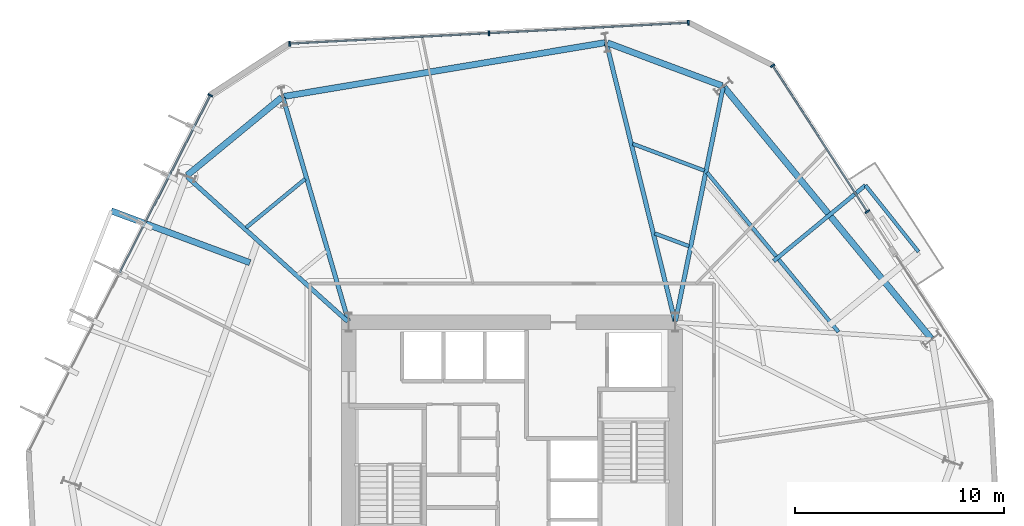
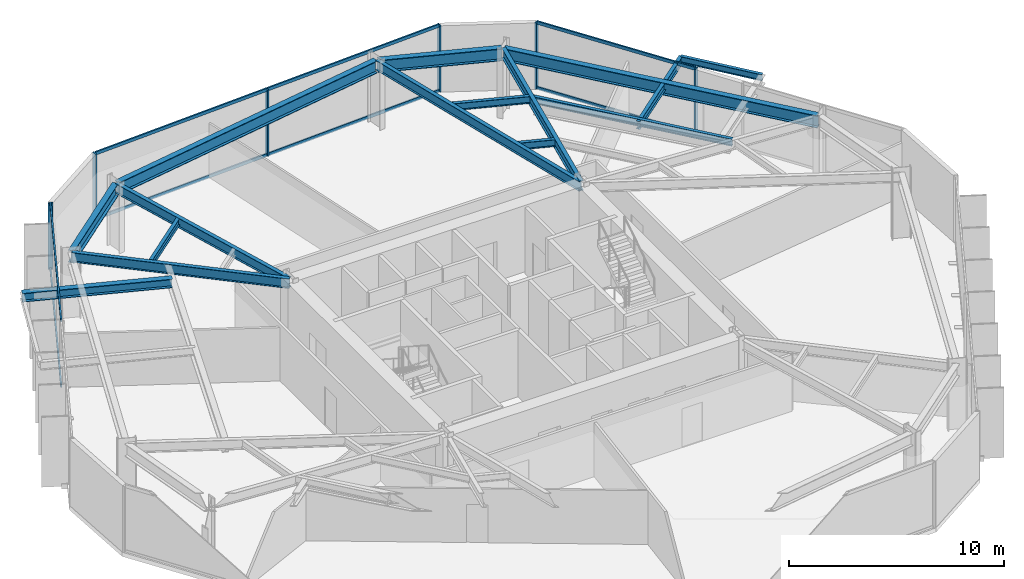
# One storey, part 4 of 10: 15 beams, 14 members, 3 elements without a shape of their own.
"""IFC4 building model written with IfcOpenShell, lengths in metres."""

import ifcopenshell
import ifcopenshell.guid

model = None  # the IFC model being written
_history = None  # IfcOwnerHistory: only IFC2X3 demands one
_inside = {}  # id of a spatial element -> (the spatial element, [elements in it])
_under = {}  # id of a project, library or spatial element -> (it, [spatial elements below it])
_declared = {}  # id of a project -> (the project, [libraries it declares])
_typed = {}  # id of a type object -> (the type object, [elements of that type])
_made_of = {}  # id of a material, layer set ... -> (it, [elements and type objects made of it])


def new_model(schema):
    """Start an empty IFC model of exactly this schema.

    Asked for "IFC4X3", IfcOpenShell would pick the latest addendum, in which some entities
    have other attributes; the version numbers below select the first issue.
    IFC2X3 requires an IfcOwnerHistory on every rooted entity: one is made here for all.
    """
    global model, _history
    if schema == "IFC4X3":
        model = ifcopenshell.file(schema_version=(4, 3, 0, 0))
    else:
        model = ifcopenshell.file(schema=schema)
    _inside.clear()
    _under.clear()
    _declared.clear()
    _typed.clear()
    _made_of.clear()
    _history = None
    if model.schema == "IFC2X3":
        org = make("IfcOrganization", Name="unknown")
        user = make(
            "IfcPersonAndOrganization",
            ThePerson=make("IfcPerson", FamilyName="unknown"),
            TheOrganization=org,
        )
        app = make(
            "IfcApplication",
            ApplicationDeveloper=org,
            Version="unknown",
            ApplicationFullName="unknown",
            ApplicationIdentifier="unknown",
        )
        _history = make(
            "IfcOwnerHistory",
            OwningUser=user,
            OwningApplication=app,
            ChangeAction="ADDED",
            CreationDate=0,
        )
    return model


def make(cls, **values):
    """One entity of the class cls with the attributes given. An attribute that is None is left unset."""
    return model.create_entity(
        cls, **{name: value for name, value in values.items() if value is not None}
    )


def rooted(cls, **values):
    """An entity with a GlobalId (a new one), such as an element, a storey or a relation."""
    return make(cls, GlobalId=ifcopenshell.guid.new(), OwnerHistory=_history, **values)


def si_unit(unit_type, name, prefix=None):
    """IfcSIUnit, for example si_unit("LENGTHUNIT", "METRE", prefix="MILLI")."""
    return make("IfcSIUnit", UnitType=unit_type, Prefix=prefix, Name=name)


def assignment(units):
    """IfcUnitAssignment: the units of a project."""
    return None if units is None else make("IfcUnitAssignment", Units=units)


def point(xyz):
    """IfcCartesianPoint."""
    return None if xyz is None else make("IfcCartesianPoint", Coordinates=xyz)


def direction(xyz):
    """IfcDirection."""
    return None if xyz is None else make("IfcDirection", DirectionRatios=xyz)


def frame(location, z_axis=None, x_axis=None):
    """IfcAxis2Placement3D, a coordinate frame: its origin and axes. An axis left out is left unset."""
    return make(
        "IfcAxis2Placement3D",
        Location=point(location),
        Axis=direction(z_axis),
        RefDirection=direction(x_axis),
    )


def frame_2d(location, x_axis=None):
    """IfcAxis2Placement2D, a coordinate frame in the plane: its origin and x axis."""
    return make(
        "IfcAxis2Placement2D", Location=point(location), RefDirection=direction(x_axis)
    )


def origin():
    """The frame at (0, 0, 0) with its axes left unset."""
    return frame((0.0, 0.0, 0.0))


def origin_2d():
    """The frame at (0, 0) in the plane with its x axis left unset."""
    return frame_2d((0.0, 0.0))


def place(relative_to, where):
    """IfcLocalPlacement: puts the frame where relative to a parent placement (None: the world)."""
    return make(
        "IfcLocalPlacement", PlacementRelTo=relative_to, RelativePlacement=where
    )


def context(
    kind, dimensions, precision=None, world=None, true_north=None, identifier=None
):
    """IfcGeometricRepresentationContext, for example the 3D "Model" context."""
    return make(
        "IfcGeometricRepresentationContext",
        ContextIdentifier=identifier,
        ContextType=kind,
        CoordinateSpaceDimension=dimensions,
        Precision=precision,
        WorldCoordinateSystem=world,
        TrueNorth=true_north,
    )


def subcontext(parent, identifier, kind, view, scale=None):
    """IfcGeometricRepresentationSubContext, for example "Body" below "Model"."""
    return make(
        "IfcGeometricRepresentationSubContext",
        ContextIdentifier=identifier,
        ContextType=kind,
        ParentContext=parent,
        TargetScale=scale,
        TargetView=view,
    )


def project(units=None, contexts=None):
    """IfcProject with its units and contexts."""
    return rooted(
        "IfcProject",
        Name="project",
        RepresentationContexts=contexts,
        UnitsInContext=assignment(units),
    )


def spatial(cls, under=None, at=None, **own):
    """A site, building, storey or space (cls), placed at a placement, below another one or the project."""
    s = rooted(cls, ObjectPlacement=at, **own)
    if under is not None:
        _under.setdefault(under.id(), (under, []))[1].append(s)
    return s


def profile(cls, at=None, kind="AREA", **sizes):
    """A parametric profile (cls). Its sizes go by their IFC names, for example OverallWidth=200.0."""
    return make(cls, ProfileType=kind, Position=at, **sizes)


def rectangle(**sizes):
    """IfcRectangleProfileDef."""
    return profile("IfcRectangleProfileDef", **sizes)


def i_section(**sizes):
    """IfcIShapeProfileDef."""
    return profile("IfcIShapeProfileDef", **sizes)


def extrude(swept, where, along, depth):
    """IfcExtrudedAreaSolid: the profile swept, set in the frame where, extruded along a direction by depth."""
    return make(
        "IfcExtrudedAreaSolid",
        SweptArea=swept,
        Position=where,
        ExtrudedDirection=direction(along),
        Depth=depth,
    )


def shape(context_of_items, identifier, shape_type, items):
    """IfcShapeRepresentation: the items that make up one representation, for example the "Body"."""
    return make(
        "IfcShapeRepresentation",
        ContextOfItems=context_of_items,
        RepresentationIdentifier=identifier,
        RepresentationType=shape_type,
        Items=items,
    )


def material(Name=None, Category=None):
    """IfcMaterial."""
    return make("IfcMaterial", Name=Name, Category=Category)


def layer(
    of_material, thickness, ventilated=None, Name=None, Category=None, Priority=None
):
    """IfcMaterialLayer: one layer of a wall or slab, of a material (None: an air gap)."""
    return make(
        "IfcMaterialLayer",
        Material=of_material,
        LayerThickness=thickness,
        IsVentilated=ventilated,
        Name=Name,
        Category=Category,
        Priority=Priority,
    )


def layer_set(layers, Name=None):
    """IfcMaterialLayerSet."""
    return make("IfcMaterialLayerSet", MaterialLayers=layers, LayerSetName=Name)


def material_profile(
    of_material, cross_section, Name=None, Category=None, Priority=None
):
    """IfcMaterialProfile: a cross section and its material."""
    return make(
        "IfcMaterialProfile",
        Name=Name,
        Material=of_material,
        Profile=cross_section,
        Priority=Priority,
        Category=Category,
    )


def profile_set(profiles, Name=None, composite=None):
    """IfcMaterialProfileSet."""
    return make(
        "IfcMaterialProfileSet",
        Name=Name,
        MaterialProfiles=profiles,
        CompositeProfile=composite,
    )


def made_of(thing, what):
    """Note that an element or type object is made of a material, layer set ...; save() writes the relation."""
    if what is not None:
        _made_of.setdefault(what.id(), (what, []))[1].append(thing)
    return thing


def type_object(cls, material=None, **own):
    """A type object (cls), such as IfcWallType, which elements share."""
    return made_of(rooted(cls, **own), material)


def element(
    cls,
    number,
    at=None,
    inside=None,
    cuts=None,
    type_object=None,
    material=None,
    context=None,
    identifier="Body",
    shape_type=None,
    held_by="IfcProductDefinitionShape",
    body=None,
    shapes=None,
    **own,
):
    """One element of the class cls, such as IfcWall. Its Tag is "e" and its number.

    at: its placement. inside: the storey or other place that contains it. cuts: it is an
    opening in that element (IfcRelVoidsElement). A single representation is given by context,
    identifier, shape_type and body (its items); several are given by shapes. held_by: the class
    of the entity that holds the representations. save() writes the other relations.
    """
    e = rooted(cls, Tag="e%d" % number, ObjectPlacement=at, **own)
    if body is not None:
        shapes = [shape(context, identifier, shape_type, body)]
    if shapes is not None:
        e.Representation = make(held_by, Representations=shapes)
    if inside is not None:
        _inside.setdefault(inside.id(), (inside, []))[1].append(e)
    if cuts is not None:
        rooted(
            "IfcRelVoidsElement", RelatingBuildingElement=cuts, RelatedOpeningElement=e
        )
    if type_object is not None:
        _typed.setdefault(type_object.id(), (type_object, []))[1].append(e)
    return made_of(e, material)


def aggregate(whole, parts):
    """IfcRelAggregates: a whole, such as a stair, and the parts it consists of."""
    return rooted("IfcRelAggregates", RelatingObject=whole, RelatedObjects=parts)


def save(model, path):
    """Write the relations noted so far, then the file.

    IfcRelAggregates (storeys below a building ...), IfcRelContainedInSpatialStructure (elements
    in a storey), IfcRelDefinesByType, IfcRelAssociatesMaterial and IfcRelDeclares: one each for
    every whole, place, type object, material and project.
    """
    for whole, parts in _under.values():
        aggregate(whole, parts)
    for where, things in _inside.values():
        rooted(
            "IfcRelContainedInSpatialStructure",
            RelatedElements=things,
            RelatingStructure=where,
        )
    for kind, things in _typed.values():
        rooted("IfcRelDefinesByType", RelatedObjects=things, RelatingType=kind)
    for what, things in _made_of.values():
        rooted("IfcRelAssociatesMaterial", RelatedObjects=things, RelatingMaterial=what)
    for by, libraries in _declared.values():
        rooted("IfcRelDeclares", RelatingContext=by, RelatedDefinitions=libraries)
    model.write(path)


model = new_model("IFC4")

# Units and contexts
model_context = context("Model", 3, precision=1e-05, world=origin(), true_north=direction((0.0, 1.0)))
body_context = subcontext(model_context, "Body", "Model", "MODEL_VIEW")
ifc_project = project(units=[si_unit("LENGTHUNIT", "METRE"), si_unit("AREAUNIT", "SQUARE_METRE"), si_unit("VOLUMEUNIT", "CUBIC_METRE"), si_unit("PLANEANGLEUNIT", "RADIAN"), si_unit("MASSUNIT", "GRAM", prefix="KILO")], contexts=[model_context])

# Site, building, storey
site_placement = place(None, origin())
site = spatial("IfcSite", under=ifc_project, at=site_placement, CompositionType="ELEMENT")
building_placement = place(site_placement, origin())
building = spatial("IfcBuilding", under=site, at=building_placement, Name="Kranzbogen Civic Tower", CompositionType="ELEMENT")
storey_placement = place(building_placement, frame((0.0, 0.0, 32.0)))
storey = spatial("IfcBuildingStorey", under=building, at=storey_placement, Name="L07", CompositionType="ELEMENT", Elevation=32.0)

# Beam
ifc_material_1 = material(Name="Steel S355", Category="steel")
ifc_material_profile_1 = material_profile(ifc_material_1, i_section(OverallWidth=0.18994140625, OverallDepth=0.449951171875, WebThickness=0.009521484375, FlangeThickness=0.0146484375, at=origin_2d()), Name="IPE 450")
ifc_profile_set_1 = profile_set([ifc_material_profile_1], Name="Steel S355")
beam_type_1 = type_object("IfcBeamType", Name="Braced Terrace Edge Beam IPE 450", PredefinedType="BEAM", material=ifc_profile_set_1)
beam_1_placement = place(storey_placement, frame((37.5048828125, 35.132080078125, 3.52490234375), z_axis=(0.771589279527, 0.636121044864, 0.0), x_axis=(-0.636121044864, 0.771589279527, 0.0)))
element("IfcBeam", 1, at=beam_1_placement, inside=storey, type_object=beam_type_1, Name="L08 back-spanned terrace beam L08-TB1-2", PredefinedType="BEAM", context=body_context, shape_type="SweptSolid", body=[
    extrude(i_section(OverallWidth=0.18994140625, OverallDepth=0.449951171875, WebThickness=0.009521484375, FlangeThickness=0.0146484375, at=origin_2d()), origin(), (0.0, 0.0, 1.0), 5.68603515625),
])

# Curtain wall, members
ifc_material_2 = material(Name="Pale Anodised Aluminium", Category="aluminium")
ifc_layer = layer(ifc_material_2, 0.219970703125, Name="Pale Anodised Aluminium")
ifc_layer_set = layer_set([ifc_layer], Name="Pale Anodised Aluminium")
curtain_wall_type = type_object("IfcCurtainWallType", Name="Zone 1 Stick Curtain Wall System CW-02", PredefinedType="USERDEFINED", material=ifc_layer_set)
curtain_wall_1_placement = place(storey_placement, origin())
curtain_wall_1 = element("IfcCurtainWall", 2, at=curtain_wall_1_placement, inside=storey, type_object=curtain_wall_type, Name="L07 curtain wall CW-L07-F1-S2", ObjectType="STICK CURTAIN WALL", PredefinedType="USERDEFINED")
ifc_material_profile_2 = material_profile(ifc_material_2, rectangle(XDim=0.080078125, YDim=0.239990234375, at=origin_2d()), Name="ALU-M 80x240")
ifc_profile_set_2 = profile_set([ifc_material_profile_2], Name="Pale Anodised Aluminium")
member_type_1 = type_object("IfcMemberType", Name="Curtain Wall Mullion ALU-M 80x240", PredefinedType="MULLION", material=ifc_profile_set_2)
member_1_placement = place(storey_placement, frame((41.981689453125, 37.4951171875, 0.0), z_axis=(0.0, 0.0, 1.0), x_axis=(-0.544622907233, 0.838681041229, 0.0)))
member_1 = element("IfcMember", 3, at=member_1_placement, type_object=member_type_1, Name="CW-02 mullion 1", PredefinedType="MULLION", context=body_context, shape_type="SweptSolid", body=[
    extrude(rectangle(XDim=0.080078125, YDim=0.239990234375, at=origin_2d()), origin(), (0.0, 0.0, 1.0), 3.760009765625),
])
member_2_placement = place(storey_placement, frame((37.456298828125, 44.4638671875, 0.0), z_axis=(0.0, 0.0, 1.0), x_axis=(-0.544622907233, 0.838681041229, 0.0)))
member_2 = element("IfcMember", 4, at=member_2_placement, type_object=member_type_1, Name="CW-02 mullion 2", PredefinedType="MULLION", context=body_context, shape_type="SweptSolid", body=[
    extrude(rectangle(XDim=0.080078125, YDim=0.239990234375, at=origin_2d()), origin(), (0.0, 0.0, 1.0), 3.760009765625),
])

curtain_wall_2_placement = place(storey_placement, origin())
curtain_wall_2 = element("IfcCurtainWall", 5, at=curtain_wall_2_placement, inside=storey, type_object=curtain_wall_type, Name="L07 curtain wall CW-L07-F2", ObjectType="STICK CURTAIN WALL", PredefinedType="USERDEFINED")
member_3_placement = place(storey_placement, frame((33.425048828125, 46.518310546875, 0.0), z_axis=(0.0, 0.0, 1.0), x_axis=(-0.998628489933, -0.052355888813, 0.0)))
member_3 = element("IfcMember", 6, at=member_3_placement, type_object=member_type_1, Name="CW-02 mullion 1", PredefinedType="MULLION", context=body_context, shape_type="SweptSolid", body=[
    extrude(rectangle(XDim=0.080078125, YDim=0.239990234375, at=origin_2d()), origin(), (0.0, 0.0, 1.0), 3.760009765625),
])
member_4_placement = place(storey_placement, frame((23.89892578125, 46.01904296875, 0.0), z_axis=(0.0, 0.0, 1.0), x_axis=(-0.998628489933, -0.052355888813, 0.0)))
member_4 = element("IfcMember", 7, at=member_4_placement, type_object=member_type_1, Name="CW-02 mullion 2", PredefinedType="MULLION", context=body_context, shape_type="SweptSolid", body=[
    extrude(rectangle(XDim=0.080078125, YDim=0.239990234375, at=origin_2d()), origin(), (0.0, 0.0, 1.0), 3.760009765625),
])
member_5_placement = place(storey_placement, frame((14.373046875, 45.51953125, 0.0), z_axis=(0.0, 0.0, 1.0), x_axis=(-0.998628489933, -0.052355888813, 0.0)))
member_5 = element("IfcMember", 8, at=member_5_placement, type_object=member_type_1, Name="CW-02 mullion 3", PredefinedType="MULLION", context=body_context, shape_type="SweptSolid", body=[
    extrude(rectangle(XDim=0.080078125, YDim=0.239990234375, at=origin_2d()), origin(), (0.0, 0.0, 1.0), 3.760009765625),
])

# Curtain wall, member
curtain_wall_3_placement = place(storey_placement, origin())
curtain_wall_3 = element("IfcCurtainWall", 9, at=curtain_wall_3_placement, inside=storey, type_object=curtain_wall_type, Name="L07 curtain wall CW-L07-F3", ObjectType="STICK CURTAIN WALL", PredefinedType="USERDEFINED")
member_6_placement = place(storey_placement, frame((10.577392578125, 43.05517578125, 0.0), z_axis=(0.0, 0.0, 1.0), x_axis=(-0.453993092664, -0.891005203022, 0.0)))
member_6 = element("IfcMember", 10, at=member_6_placement, type_object=member_type_1, Name="CW-02 mullion 1", PredefinedType="MULLION", context=body_context, shape_type="SweptSolid", body=[
    extrude(rectangle(XDim=0.080078125, YDim=0.239990234375, at=origin_2d()), origin(), (0.0, 0.0, 1.0), 3.760009765625),
])

# Member
ifc_material_profile_3 = material_profile(ifc_material_2, rectangle(XDim=0.080078125, YDim=0.179931640625, at=origin_2d()), Name="ALU-T 80x180")
ifc_profile_set_3 = profile_set([ifc_material_profile_3], Name="Pale Anodised Aluminium")
member_type_2 = type_object("IfcMemberType", Name="Curtain Wall Transom ALU-T 80x180", PredefinedType="USERDEFINED", material=ifc_profile_set_3)
member_7_placement = place(storey_placement, frame((41.96533203125, 37.520263671875, 0.030029296875), z_axis=(-0.544620042238, 0.838682901693, 0.0), x_axis=(-0.838682901693, -0.544620042238, 0.0)))
member_7 = element("IfcMember", 11, at=member_7_placement, type_object=member_type_2, Name="CW-02 transom 1.1", ObjectType="TRANSOM", PredefinedType="USERDEFINED", context=body_context, shape_type="SweptSolid", body=[
    extrude(rectangle(XDim=0.080078125, YDim=0.179931640625, at=origin_2d()), origin(), (0.0, 0.0, 1.0), 8.249267578125),
])

member_8_placement = place(storey_placement, frame((41.96533203125, 37.520263671875, 3.72998046875), z_axis=(-0.544620042238, 0.838682901693, 0.0), x_axis=(-0.838682901693, -0.544620042238, 0.0)))
member_8 = element("IfcMember", 12, at=member_8_placement, type_object=member_type_2, Name="CW-02 transom 1.2", ObjectType="TRANSOM", PredefinedType="USERDEFINED", context=body_context, shape_type="SweptSolid", body=[
    extrude(rectangle(XDim=0.080078125, YDim=0.179931640625, at=origin_2d()), origin(), (0.0, 0.0, 1.0), 8.249267578125),
])

aggregate(curtain_wall_1, [member_1, member_2, member_7, member_8])

member_9_placement = place(storey_placement, frame((33.39501953125, 46.516845703125, 0.030029296875), z_axis=(-0.998628197512, -0.052361466112, 0.0), x_axis=(0.052361466112, -0.998628197512, 0.0)))
member_9 = element("IfcMember", 13, at=member_9_placement, type_object=member_type_2, Name="CW-02 transom 1.1", ObjectType="TRANSOM", PredefinedType="USERDEFINED", context=body_context, shape_type="SweptSolid", body=[
    extrude(rectangle(XDim=0.080078125, YDim=0.179931640625, at=origin_2d()), origin(), (0.0, 0.0, 1.0), 9.47900390625),
])

member_10_placement = place(storey_placement, frame((33.39501953125, 46.516845703125, 3.72998046875), z_axis=(-0.998628197512, -0.052361466112, 0.0), x_axis=(0.052361466112, -0.998628197512, 0.0)))
member_10 = element("IfcMember", 14, at=member_10_placement, type_object=member_type_2, Name="CW-02 transom 1.2", ObjectType="TRANSOM", PredefinedType="USERDEFINED", context=body_context, shape_type="SweptSolid", body=[
    extrude(rectangle(XDim=0.080078125, YDim=0.179931640625, at=origin_2d()), origin(), (0.0, 0.0, 1.0), 9.47900390625),
])

member_11_placement = place(storey_placement, frame((23.869140625, 46.017333984375, 0.030029296875), z_axis=(-0.998629614487, -0.052334434844, 0.0), x_axis=(0.052334434844, -0.998629614487, 0.0)))
member_11 = element("IfcMember", 15, at=member_11_placement, type_object=member_type_2, Name="CW-02 transom 2.1", ObjectType="TRANSOM", PredefinedType="USERDEFINED", context=body_context, shape_type="SweptSolid", body=[
    extrude(rectangle(XDim=0.080078125, YDim=0.179931640625, at=origin_2d()), origin(), (0.0, 0.0, 1.0), 9.479248046875),
])

member_12_placement = place(storey_placement, frame((23.869140625, 46.017333984375, 3.72998046875), z_axis=(-0.998629614487, -0.052334434844, 0.0), x_axis=(0.052334434844, -0.998629614487, 0.0)))
member_12 = element("IfcMember", 16, at=member_12_placement, type_object=member_type_2, Name="CW-02 transom 2.2", ObjectType="TRANSOM", PredefinedType="USERDEFINED", context=body_context, shape_type="SweptSolid", body=[
    extrude(rectangle(XDim=0.080078125, YDim=0.179931640625, at=origin_2d()), origin(), (0.0, 0.0, 1.0), 9.479248046875),
])

aggregate(curtain_wall_2, [member_3, member_4, member_5, member_9, member_10, member_11, member_12])

member_13_placement = place(storey_placement, frame((10.563720703125, 43.028564453125, 0.030029296875), z_axis=(-0.453999854898, -0.891001757435, 0.0), x_axis=(0.891001757435, -0.453999854898, 0.0)))
member_13 = element("IfcMember", 17, at=member_13_placement, type_object=member_type_2, Name="CW-02 transom 1.1", ObjectType="TRANSOM", PredefinedType="USERDEFINED", context=body_context, shape_type="SweptSolid", body=[
    extrude(rectangle(XDim=0.080078125, YDim=0.179931640625, at=origin_2d()), origin(), (0.0, 0.0, 1.0), 9.4794921875),
])

member_14_placement = place(storey_placement, frame((10.563720703125, 43.028564453125, 3.72998046875), z_axis=(-0.453999854898, -0.891001757435, 0.0), x_axis=(0.891001757435, -0.453999854898, 0.0)))
member_14 = element("IfcMember", 18, at=member_14_placement, type_object=member_type_2, Name="CW-02 transom 1.2", ObjectType="TRANSOM", PredefinedType="USERDEFINED", context=body_context, shape_type="SweptSolid", body=[
    extrude(rectangle(XDim=0.080078125, YDim=0.179931640625, at=origin_2d()), origin(), (0.0, 0.0, 1.0), 9.4794921875),
])

aggregate(curtain_wall_3, [member_6, member_13, member_14])

# Beams
ifc_material_profile_4 = material_profile(ifc_material_1, i_section(OverallWidth=0.300048828125, OverallDepth=0.5, WebThickness=0.014404296875, FlangeThickness=0.028076171875, at=origin_2d()), Name="HEB 500")
ifc_profile_set_4 = profile_set([ifc_material_profile_4], Name="Steel S355")
beam_type_2 = type_object("IfcBeamType", Name="Perimeter Tube Spandrel Beam HEB 500", PredefinedType="SPANDREL", material=ifc_profile_set_4)
beam_2_placement = place(storey_placement, frame((12.47900390625, 35.051025390625, 3.469970703125), z_axis=(-0.936708531765, 0.350110163404, 0.0), x_axis=(-0.350110163404, -0.936708531765, 0.0)))
element("IfcBeam", 19, at=beam_2_placement, inside=storey, type_object=beam_type_2, Name="L08 back-spanned terrace beam L08-ST-1", PredefinedType="SPANDREL", context=body_context, shape_type="SweptSolid", body=[
    extrude(i_section(OverallWidth=0.300048828125, OverallDepth=0.5, WebThickness=0.014404296875, FlangeThickness=0.028076171875, at=origin_2d()), origin(), (0.0, 0.0, 1.0), 7.077880859375),
])
ifc_material_profile_5 = material_profile(ifc_material_1, i_section(OverallWidth=0.300048828125, OverallDepth=0.699951171875, WebThickness=0.01708984375, FlangeThickness=0.031982421875, at=origin_2d()), Name="HEB 700")
ifc_profile_set_5 = profile_set([ifc_material_profile_5], Name="Steel S355")
beam_type_3 = type_object("IfcBeamType", Name="Perimeter Tube Spandrel Beam HEB 700", PredefinedType="SPANDREL", material=ifc_profile_set_5)
beam_3_placement = place(storey_placement, frame((45.033935546875, 31.431884765625, 3.409912109375), z_axis=(-0.636074572579, 0.771627590304, 0.0), x_axis=(-0.771627590304, -0.636074572579, 0.0)))
element("IfcBeam", 20, at=beam_3_placement, inside=storey, type_object=beam_type_3, Name="L07 perimeter spandrel beam 08", PredefinedType="SPANDREL", context=body_context, shape_type="SweptSolid", body=[
    extrude(i_section(OverallWidth=0.300048828125, OverallDepth=0.699951171875, WebThickness=0.01708984375, FlangeThickness=0.031982421875, at=origin_2d()), origin(), (0.0, 0.0, 1.0), 15.5595703125),
])
beam_4_placement = place(storey_placement, frame((35.04296875, 43.5048828125, 3.409912109375), z_axis=(-0.936647646965, 0.350273015568, 0.0), x_axis=(-0.350273015568, -0.936647646965, 0.0)))
element("IfcBeam", 21, at=beam_4_placement, inside=storey, type_object=beam_type_3, Name="L07 perimeter spandrel beam 09", PredefinedType="SPANDREL", context=body_context, shape_type="SweptSolid", body=[
    extrude(i_section(OverallWidth=0.300048828125, OverallDepth=0.699951171875, WebThickness=0.01708984375, FlangeThickness=0.031982421875, at=origin_2d()), origin(), (0.0, 0.0, 1.0), 5.852783203125),
])
beam_5_placement = place(storey_placement, frame((29.446044921875, 45.56591796875, 3.409912109375), z_axis=(-0.986285563243, -0.165047834697, 0.0), x_axis=(0.165047834697, -0.986285563243, 0.0)))
element("IfcBeam", 22, at=beam_5_placement, inside=storey, type_object=beam_type_3, Name="L07 perimeter spandrel beam 10", PredefinedType="SPANDREL", context=body_context, shape_type="SweptSolid", body=[
    extrude(i_section(OverallWidth=0.300048828125, OverallDepth=0.699951171875, WebThickness=0.01708984375, FlangeThickness=0.031982421875, at=origin_2d()), origin(), (0.0, 0.0, 1.0), 15.558349609375),
])
beam_6_placement = place(storey_placement, frame((13.99609375, 42.949951171875, 3.409912109375), z_axis=(-0.77168336865, -0.636006901337, 0.0), x_axis=(0.636006901337, -0.77168336865, 0.0)))
element("IfcBeam", 23, at=beam_6_placement, inside=storey, type_object=beam_type_3, Name="L07 perimeter spandrel beam 11", PredefinedType="SPANDREL", context=body_context, shape_type="SweptSolid", body=[
    extrude(i_section(OverallWidth=0.300048828125, OverallDepth=0.699951171875, WebThickness=0.01708984375, FlangeThickness=0.031982421875, at=origin_2d()), origin(), (0.0, 0.0, 1.0), 5.853515625),
])
ifc_material_profile_6 = material_profile(ifc_material_1, i_section(OverallWidth=0.2099609375, OverallDepth=0.550048828125, WebThickness=0.010986328125, FlangeThickness=0.01708984375, at=origin_2d()), Name="IPE 550")
ifc_profile_set_6 = profile_set([ifc_material_profile_6], Name="Steel S355")
beam_type_4 = type_object("IfcBeamType", Name="Radial Tower Floor Girder IPE 550", PredefinedType="BEAM", material=ifc_profile_set_6)
beam_7_placement = place(storey_placement, frame((35.0869140625, 43.425048828125, 3.485107421875), z_axis=(-0.199633433694, -0.979870650725, 0.0), x_axis=(0.979870650725, -0.199633433694, 0.0)))
element("IfcBeam", 24, at=beam_7_placement, inside=storey, type_object=beam_type_4, Name="L07 radial floor girder 09", PredefinedType="BEAM", context=body_context, shape_type="SweptSolid", body=[
    extrude(i_section(OverallWidth=0.2099609375, OverallDepth=0.550048828125, WebThickness=0.010986328125, FlangeThickness=0.01708984375, at=origin_2d()), origin(), (0.0, 0.0, 1.0), 11.3955078125),
])
beam_8_placement = place(storey_placement, frame((29.51904296875, 45.51806640625, 3.485107421875), z_axis=(0.239215348776, -0.970966537482, 0.0), x_axis=(0.970966537482, 0.239215348776, 0.0)))
element("IfcBeam", 25, at=beam_8_placement, inside=storey, type_object=beam_type_4, Name="L07 radial floor girder 10", PredefinedType="BEAM", context=body_context, shape_type="SweptSolid", body=[
    extrude(i_section(OverallWidth=0.2099609375, OverallDepth=0.550048828125, WebThickness=0.010986328125, FlangeThickness=0.01708984375, at=origin_2d()), origin(), (0.0, 0.0, 1.0), 13.656494140625),
])
beam_9_placement = place(storey_placement, frame((14.05908203125, 42.929931640625, 3.485107421875), z_axis=(0.280944131918, -0.959724124288, 0.0), x_axis=(0.959724124288, 0.280944131918, 0.0)))
element("IfcBeam", 26, at=beam_9_placement, inside=storey, type_object=beam_type_4, Name="L07 radial floor girder 11", PredefinedType="BEAM", context=body_context, shape_type="SweptSolid", body=[
    extrude(i_section(OverallWidth=0.2099609375, OverallDepth=0.550048828125, WebThickness=0.010986328125, FlangeThickness=0.01708984375, at=origin_2d()), origin(), (0.0, 0.0, 1.0), 11.11962890625),
])
beam_10_placement = place(storey_placement, frame((9.47802734375, 39.14892578125, 3.485107421875), z_axis=(0.743311776894, -0.668945141496, 0.0), x_axis=(0.668945141496, 0.743311776894, 0.0)))
element("IfcBeam", 27, at=beam_10_placement, inside=storey, type_object=beam_type_4, Name="L07 radial floor girder 12", PredefinedType="BEAM", context=body_context, shape_type="SweptSolid", body=[
    extrude(i_section(OverallWidth=0.2099609375, OverallDepth=0.550048828125, WebThickness=0.010986328125, FlangeThickness=0.01708984375, at=origin_2d()), origin(), (0.0, 0.0, 1.0), 10.328125),
])
ifc_material_profile_7 = material_profile(ifc_material_1, i_section(OverallWidth=0.169921875, OverallDepth=0.360107421875, WebThickness=0.008056640625, FlangeThickness=0.0126953125, at=origin_2d()), Name="IPE 360")
ifc_profile_set_7 = profile_set([ifc_material_profile_7], Name="Steel S355")
beam_type_5 = type_object("IfcBeamType", Name="Secondary Composite Floor Joist IPE 360", PredefinedType="JOIST", material=ifc_profile_set_7)
beam_11_placement = place(storey_placement, frame((44.427978515625, 35.574951171875, 3.570068359375), z_axis=(-0.624189253322, 0.78127317632, 0.0), x_axis=(-0.78127317632, -0.624189253322, 0.0)))
element("IfcBeam", 28, at=beam_11_placement, inside=storey, type_object=beam_type_5, Name="L08 terrace outer edge trimmer L08-TB1", PredefinedType="JOIST", context=body_context, shape_type="SweptSolid", body=[
    extrude(i_section(OverallWidth=0.169921875, OverallDepth=0.360107421875, WebThickness=0.008056640625, FlangeThickness=0.0126953125, at=origin_2d()), origin(), (0.0, 0.0, 1.0), 4.062744140625),
])
ifc_material_profile_8 = material_profile(ifc_material_1, i_section(OverallWidth=0.179931640625, OverallDepth=0.39990234375, WebThickness=0.008544921875, FlangeThickness=0.013427734375, at=origin_2d()), Name="IPE 400")
ifc_profile_set_8 = profile_set([ifc_material_profile_8], Name="Steel S355")
beam_type_6 = type_object("IfcBeamType", Name="Secondary Composite Floor Joist IPE 400", PredefinedType="JOIST", material=ifc_profile_set_8)
beam_12_placement = place(storey_placement, frame((40.60302734375, 31.740966796875, 3.56005859375), z_axis=(-0.636094561772, 0.771611112209, 0.0), x_axis=(-0.771611112209, -0.636094561772, 0.0)))
element("IfcBeam", 29, at=beam_12_placement, inside=storey, type_object=beam_type_6, Name="L07 secondary floor joist 1.08", PredefinedType="JOIST", context=body_context, shape_type="SweptSolid", body=[
    extrude(i_section(OverallWidth=0.179931640625, OverallDepth=0.39990234375, WebThickness=0.008544921875, FlangeThickness=0.013427734375, at=origin_2d()), origin(), (0.0, 0.0, 1.0), 9.874267578125),
])
beam_13_placement = place(storey_placement, frame((34.196044921875, 39.449951171875, 3.56005859375), z_axis=(-0.936622008794, 0.350341565678, 0.0), x_axis=(-0.350341565678, -0.936622008794, 0.0)))
element("IfcBeam", 30, at=beam_13_placement, inside=storey, type_object=beam_type_6, Name="L07 secondary floor joist 1.09", PredefinedType="JOIST", context=body_context, shape_type="SweptSolid", body=[
    extrude(i_section(OverallWidth=0.179931640625, OverallDepth=0.39990234375, WebThickness=0.008544921875, FlangeThickness=0.013427734375, at=origin_2d()), origin(), (0.0, 0.0, 1.0), 3.662109375),
])
beam_14_placement = place(storey_placement, frame((33.4609375, 35.839111328125, 3.56005859375), z_axis=(-0.936735458815, 0.350038112495, 0.0), x_axis=(-0.350038112495, -0.936735458815, 0.0)))
element("IfcBeam", 31, at=beam_14_placement, inside=storey, type_object=beam_type_6, Name="L07 secondary floor joist 2.09", PredefinedType="JOIST", context=body_context, shape_type="SweptSolid", body=[
    extrude(i_section(OverallWidth=0.179931640625, OverallDepth=0.39990234375, WebThickness=0.008544921875, FlangeThickness=0.013427734375, at=origin_2d()), origin(), (0.0, 0.0, 1.0), 1.750732421875),
])
beam_15_placement = place(storey_placement, frame((15.116943359375, 39.052978515625, 3.56005859375), z_axis=(-0.771712720426, -0.635971286406, 0.0), x_axis=(0.635971286406, -0.771712720426, 0.0)))
element("IfcBeam", 32, at=beam_15_placement, inside=storey, type_object=beam_type_6, Name="L07 secondary floor joist 1.11", PredefinedType="JOIST", context=body_context, shape_type="SweptSolid", body=[
    extrude(i_section(OverallWidth=0.179931640625, OverallDepth=0.39990234375, WebThickness=0.008544921875, FlangeThickness=0.013427734375, at=origin_2d()), origin(), (0.0, 0.0, 1.0), 3.661865234375),
])

save(model, "model.ifc")
